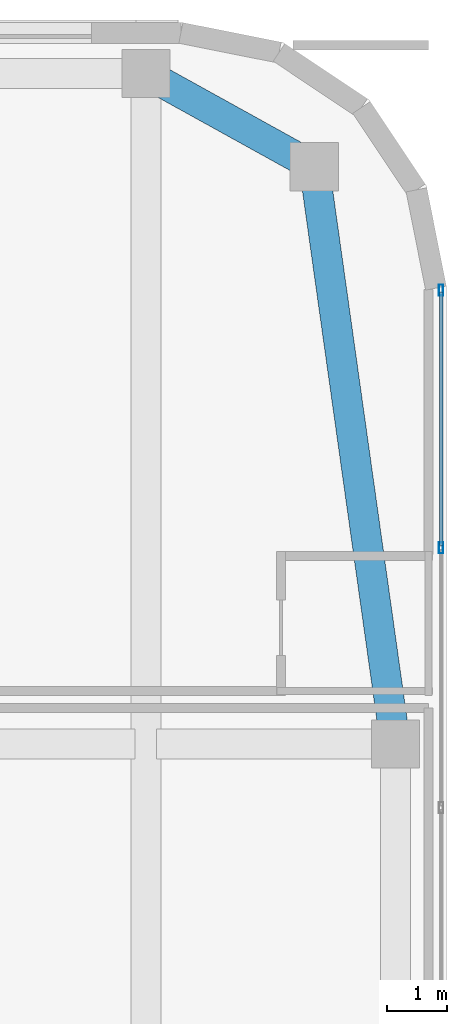
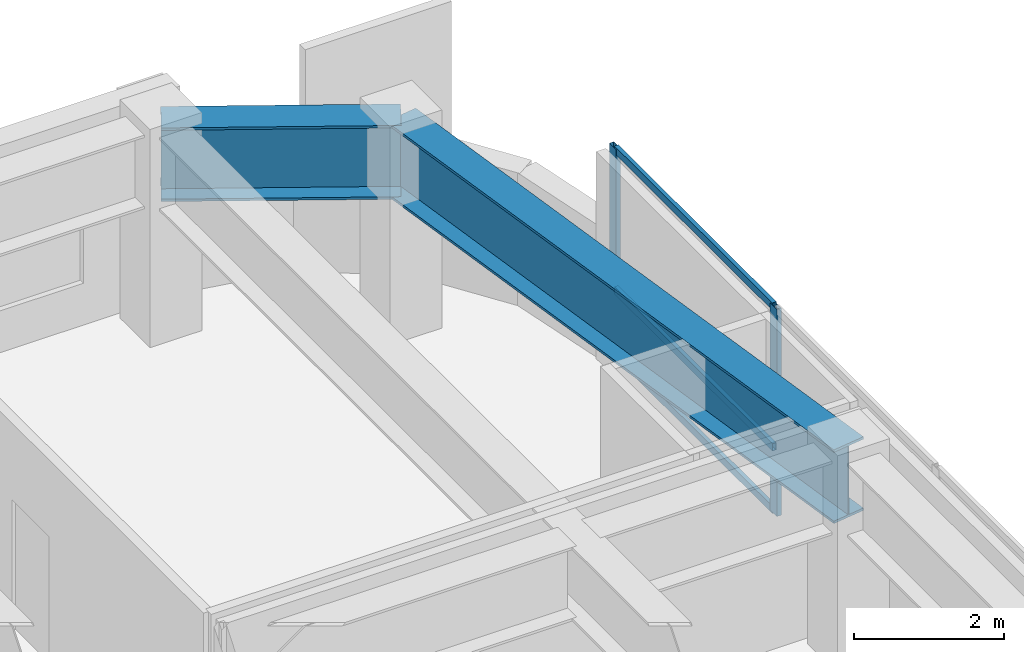
# One storey, part 12 of 26: 5 members, 2 beams, 1 element without a shape of its own.
"""IFC4 building model written with IfcOpenShell, lengths in metres."""

from ifc_helpers import new_model, si_unit, direction, frame, origin, origin_2d, place, context, subcontext, project, spatial, hollow_rectangle, i_section, extrude, source, transform, mapped, material, layer, layer_set, material_profile, profile_set, type_object, type_shapes, element, aggregate, save


model = new_model("IFC4")

# Units and contexts
model_context = context("Model", 3, precision=1e-05, world=origin(), true_north=direction((0.0, 1.0)))
body_context = subcontext(model_context, "Body", "Model", "MODEL_VIEW")
ifc_project = project(units=[si_unit("LENGTHUNIT", "METRE"), si_unit("AREAUNIT", "SQUARE_METRE"), si_unit("VOLUMEUNIT", "CUBIC_METRE"), si_unit("PLANEANGLEUNIT", "RADIAN"), si_unit("MASSUNIT", "GRAM", prefix="KILO")], contexts=[model_context])

# Site, building, storey
site_placement = place(None, origin())
site = spatial("IfcSite", under=ifc_project, at=site_placement, CompositionType="ELEMENT")
building_placement = place(site_placement, origin())
building = spatial("IfcBuilding", under=site, at=building_placement, Name="Tolvann Quenvar Hotel", CompositionType="ELEMENT")
storey_placement = place(building_placement, frame((0.0, 0.0, 168.35009765625)))
storey = spatial("IfcBuildingStorey", under=building, at=storey_placement, Name="L44", CompositionType="ELEMENT", Elevation=168.35009765625)

# Beams
ifc_material_1 = material(Name="Steel Grade 350", Category="steel")
ifc_material_profile_1 = material_profile(ifc_material_1, i_section(OverallWidth=0.5, OverallDepth=1.199951171875, WebThickness=0.01611328125, FlangeThickness=0.0400390625, at=origin_2d()), Name="1200WB455")
ifc_profile_set_1 = profile_set([ifc_material_profile_1], Name="Steel Grade 350")
beam_type = type_object("IfcBeamType", Name="BM_TG_1200WB455", PredefinedType="USERDEFINED", material=ifc_profile_set_1)
shared_shape_1 = source(origin(), body_context, "Body", "SweptSolid", [
    extrude(i_section(OverallWidth=0.5, OverallDepth=1.199951171875, WebThickness=0.01611328125, FlangeThickness=0.0400390625, at=origin_2d()), origin(), (0.0, 0.0, 1.0), 9.694580078125),
])
beam_1_placement = place(storey_placement, frame((53.550048828125, 34.0, 2.77001953125), z_axis=(-0.139263320262, 0.990255385055, 0.0), x_axis=(-0.990255385055, -0.139263320262, 0.0)))
element("IfcBeam", 1, at=beam_1_placement, inside=storey, type_object=beam_type, Name="BM-L44-FLK-E2", ObjectType="TRANSFER GIRDER", PredefinedType="USERDEFINED", context=body_context, shape_type="MappedRepresentation", body=[
    mapped(shared_shape_1, transform((0.0, 0.0, 0.0), x_axis=(1.0, 0.0, 0.0), y_axis=(0.0, 1.0, 0.0), z_axis=(0.0, 0.0, 1.0), scale=1.0)),
])
shared_shape_2 = source(origin(), body_context, "Body", "SweptSolid", [
    extrude(i_section(OverallWidth=0.5, OverallDepth=1.199951171875, WebThickness=0.01611328125, FlangeThickness=0.0400390625, at=origin_2d()), origin(), (0.0, 0.0, 1.0), 3.200439453125),
])
type_shapes(beam_type, [shared_shape_1, shared_shape_2])
beam_2_placement = place(storey_placement, frame((52.199951171875, 43.60009765625, 2.77001953125), z_axis=(-0.87492264453, 0.48426270359, 0.0), x_axis=(-0.48426270359, -0.87492264453, 0.0)))
element("IfcBeam", 2, at=beam_2_placement, inside=storey, type_object=beam_type, Name="BM-L44-FLK-E3", ObjectType="TRANSFER GIRDER", PredefinedType="USERDEFINED", context=body_context, shape_type="MappedRepresentation", body=[
    mapped(shared_shape_2, transform((0.0, 0.0, 0.0), x_axis=(1.0, 0.0, 0.0), y_axis=(0.0, 1.0, 0.0), z_axis=(0.0, 0.0, 1.0), scale=1.0)),
])

# Curtain wall, members
ifc_material_2 = material(Name="Thermally broken anodised architectural aluminium 6063-T6 and laminated low-E glass", Category="aluminium")
ifc_layer = layer(ifc_material_2, 0.179931640625)
ifc_layer_set = layer_set([ifc_layer], Name="Thermally broken anodised architectural aluminium 6063-T6 and laminated low-E glass")
curtain_wall_type = type_object("IfcCurtainWallType", Name="CW_SYS_BAND_04", PredefinedType="USERDEFINED", material=ifc_layer_set)
curtain_wall_placement = place(storey_placement, origin())
curtain_wall = element("IfcCurtainWall", 3, at=curtain_wall_placement, inside=storey, type_object=curtain_wall_type, Name="Curtain Wall CW-BAND-04 (CWR-L44-E13)", ObjectType="UNITISED CURTAIN WALL", PredefinedType="USERDEFINED")
ifc_material_3 = material(Name="Anodised architectural aluminium 6063-T6 framing", Category="aluminium")
ifc_material_profile_2 = material_profile(ifc_material_3, hollow_rectangle(XDim=0.070068359375, YDim=0.179931640625, WallThickness=0.00390625, at=origin_2d()), Name="180x70x4RHS")
ifc_profile_set_2 = profile_set([ifc_material_profile_2], Name="Anodised architectural aluminium 6063-T6 framing")
member_type_1 = type_object("IfcMemberType", Name="CW_MULL_180x70", PredefinedType="MULLION", material=ifc_profile_set_2)
shared_shape_3 = source(origin(), body_context, "Body", "SweptSolid", [
    extrude(hollow_rectangle(XDim=0.070068359375, YDim=0.179931640625, WallThickness=0.00390625, at=origin_2d()), origin(), (0.0, 0.0, 1.0), 3.369873046875),
])
type_shapes(member_type_1, [shared_shape_3])
member_1_placement = place(storey_placement, frame((54.31005859375, 37.26220703125, 0.0), z_axis=(0.0, 0.0, 1.0), x_axis=(-1.0, 0.0, 0.0)))
member_1 = element("IfcMember", 4, at=member_1_placement, type_object=member_type_1, Name="CW-BAND-04 mullion 8", PredefinedType="MULLION", context=body_context, shape_type="MappedRepresentation", body=[
    mapped(shared_shape_3, transform((0.0, 0.0, 0.0), x_axis=(1.0, 0.0, 0.0), y_axis=(0.0, 1.0, 0.0), z_axis=(0.0, 0.0, 1.0), scale=1.0)),
])
member_2_placement = place(storey_placement, frame((54.31005859375, 41.5478515625, 0.0), z_axis=(0.0, 0.0, 1.0), x_axis=(-1.0, 0.0, 0.0)))
member_2 = element("IfcMember", 5, at=member_2_placement, type_object=member_type_1, Name="CW-BAND-04 mullion 9", PredefinedType="MULLION", context=body_context, shape_type="MappedRepresentation", body=[
    mapped(shared_shape_3, transform((0.0, 0.0, 0.0), x_axis=(1.0, 0.0, 0.0), y_axis=(0.0, 1.0, 0.0), z_axis=(0.0, 0.0, 1.0), scale=1.0)),
])
ifc_material_profile_3 = material_profile(ifc_material_3, hollow_rectangle(XDim=0.06005859375, YDim=0.1201171875, WallThickness=0.00341796875, at=origin_2d()), Name="120x60x3.5RHS")
ifc_profile_set_3 = profile_set([ifc_material_profile_3], Name="Anodised architectural aluminium 6063-T6 framing")
member_type_2 = type_object("IfcMemberType", Name="CW_TRAN_120x60", PredefinedType="USERDEFINED", material=ifc_profile_set_3)
shared_shape_4 = source(origin(), body_context, "Body", "SweptSolid", [
    extrude(hollow_rectangle(XDim=0.06005859375, YDim=0.1201171875, WallThickness=0.00341796875, at=origin_2d()), origin(), (0.0, 0.0, 1.0), 4.215576171875),
])
type_shapes(member_type_2, [shared_shape_4])
member_3_placement = place(storey_placement, frame((54.31005859375, 37.297119140625, 0.02978515625), z_axis=(0.0, 1.0, 0.0), x_axis=(-1.0, 0.0, 0.0)))
member_3 = element("IfcMember", 6, at=member_3_placement, type_object=member_type_2, Name="CW-BAND-04 transom 8.1", ObjectType="TRANSOM", PredefinedType="USERDEFINED", context=body_context, shape_type="MappedRepresentation", body=[
    mapped(shared_shape_4, transform((0.0, 0.0, 0.0), x_axis=(1.0, 0.0, 0.0), y_axis=(0.0, 1.0, 0.0), z_axis=(0.0, 0.0, 1.0), scale=1.0)),
])
member_4_placement = place(storey_placement, frame((54.31005859375, 37.297119140625, 1.0498046875), z_axis=(0.0, 1.0, 0.0), x_axis=(-1.0, 0.0, 0.0)))
member_4 = element("IfcMember", 7, at=member_4_placement, type_object=member_type_2, Name="CW-BAND-04 transom 8.2", ObjectType="TRANSOM", PredefinedType="USERDEFINED", context=body_context, shape_type="MappedRepresentation", body=[
    mapped(shared_shape_4, transform((0.0, 0.0, 0.0), x_axis=(1.0, 0.0, 0.0), y_axis=(0.0, 1.0, 0.0), z_axis=(0.0, 0.0, 1.0), scale=1.0)),
])
member_5_placement = place(storey_placement, frame((54.31005859375, 37.297119140625, 3.33984375), z_axis=(0.0, 1.0, 0.0), x_axis=(-1.0, 0.0, 0.0)))
member_5 = element("IfcMember", 8, at=member_5_placement, type_object=member_type_2, Name="CW-BAND-04 transom 8.3", ObjectType="TRANSOM", PredefinedType="USERDEFINED", context=body_context, shape_type="MappedRepresentation", body=[
    mapped(shared_shape_4, transform((0.0, 0.0, 0.0), x_axis=(1.0, 0.0, 0.0), y_axis=(0.0, 1.0, 0.0), z_axis=(0.0, 0.0, 1.0), scale=1.0)),
])
aggregate(curtain_wall, [member_1, member_2, member_3, member_4, member_5])

save(model, "model.ifc")
